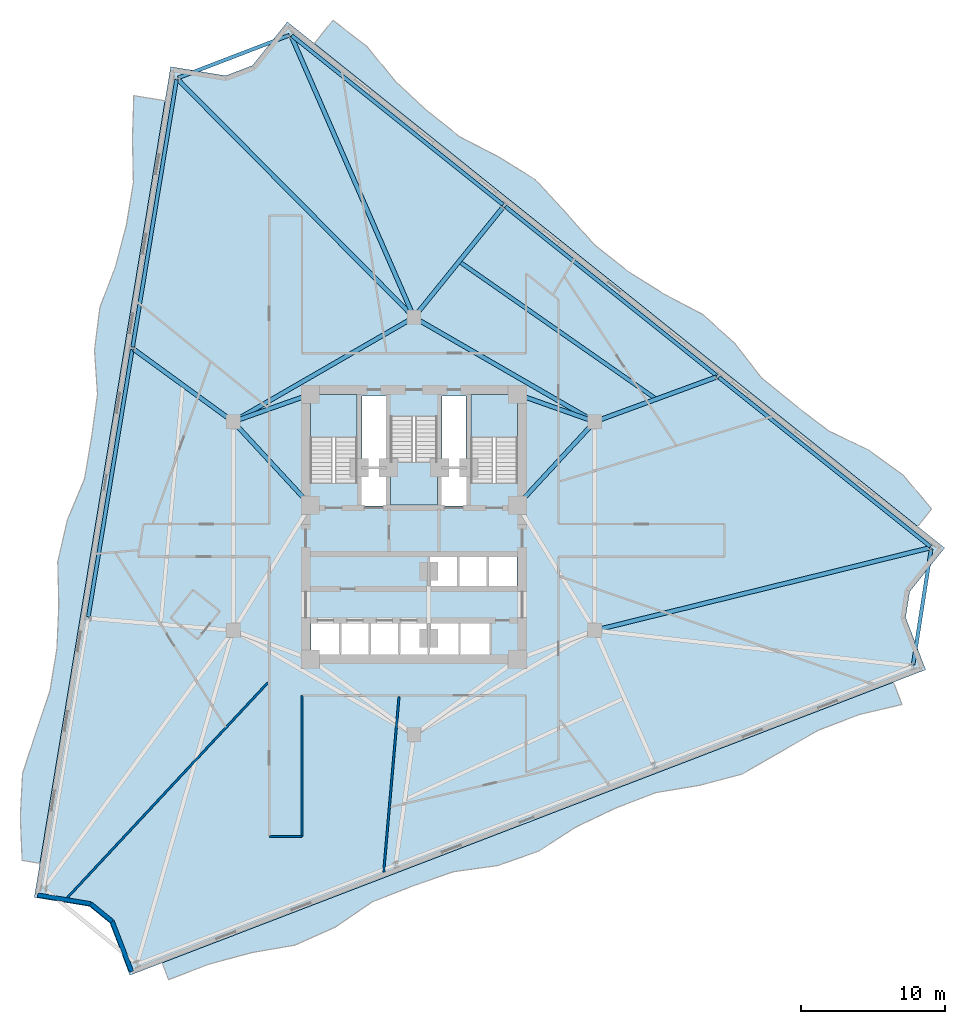
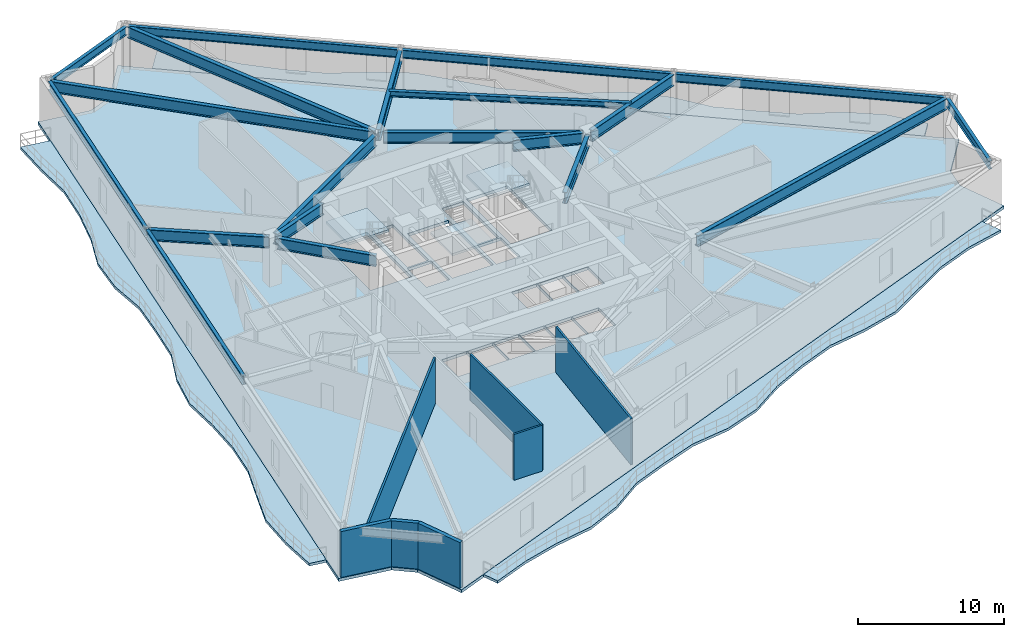
# One storey, part 3 of 11: 20 beams, 7 slabs, 7 walls, 3 elements without a shape of their own.
"""IFC4 building model written with IfcOpenShell, lengths in metres."""

from ifc_helpers import new_model, si_unit, direction, frame, frame_2d, origin, origin_2d, place, context, subcontext, project, spatial, polyline, rectangle, i_section, outline, extrude, material, layer, layer_set, material_profile, profile_set, type_object, element, aggregate, save


model = new_model("IFC4")

# Units and contexts
model_context = context("Model", 3, precision=1e-05, world=origin(), true_north=direction((0.0, 1.0)))
body_context = subcontext(model_context, "Body", "Model", "MODEL_VIEW")
ifc_project = project(units=[si_unit("LENGTHUNIT", "METRE"), si_unit("AREAUNIT", "SQUARE_METRE"), si_unit("VOLUMEUNIT", "CUBIC_METRE"), si_unit("PLANEANGLEUNIT", "RADIAN"), si_unit("MASSUNIT", "GRAM", prefix="KILO")], contexts=[model_context])

# Site, building, storey
site_placement = place(None, origin())
site = spatial("IfcSite", under=ifc_project, at=site_placement, CompositionType="ELEMENT")
building_placement = place(site_placement, origin())
building = spatial("IfcBuilding", under=site, at=building_placement, Name="Apsidion Concourse Tower", CompositionType="ELEMENT")
storey_placement = place(building_placement, frame((0.0, 0.0, 148.60009765625)))
storey = spatial("IfcBuildingStorey", under=building, at=storey_placement, Name="L34", CompositionType="ELEMENT", Elevation=148.60009765625)

# Beams
ifc_material_1 = material(Name="Structural steel ASTM A992 Grade 50", Category="steel")
ifc_material_profile_1 = material_profile(ifc_material_1, i_section(OverallWidth=0.280029296875, OverallDepth=0.462890625, WebThickness=0.0107421875, FlangeThickness=0.017333984375, at=origin_2d()), Name="W18X76")
ifc_profile_set_1 = profile_set([ifc_material_profile_1], Name="Structural steel ASTM A992 Grade 50")
beam_type_1 = type_object("IfcBeamType", Name="BM-FL-W18M", PredefinedType="BEAM", material=ifc_profile_set_1)
beam_1_placement = place(storey_placement, frame((16.836181640625, 8.818359375, 3.618408203125), z_axis=(-0.819987071057, 0.572382043131, 0.0), x_axis=(-0.572382043131, -0.819987071057, 0.0)))
element("IfcBeam", 1, at=beam_1_placement, inside=storey, type_object=beam_type_1, Name="L34 Secondary Floor Beam SEC-F3", PredefinedType="BEAM", context=body_context, shape_type="SweptSolid", body=[
    extrude(i_section(OverallWidth=0.280029296875, OverallDepth=0.462890625, WebThickness=0.0107421875, FlangeThickness=0.017333984375, at=origin_2d()), origin(), (0.0, 0.0, 1.0), 16.70703125),
])
ifc_material_profile_2 = material_profile(ifc_material_1, i_section(OverallWidth=0.31005859375, OverallDepth=0.931884765625, WebThickness=0.02099609375, FlangeThickness=0.034423828125, at=origin_2d()), Name="W36X210")
ifc_profile_set_2 = profile_set([ifc_material_profile_2], Name="Structural steel ASTM A992 Grade 50")
beam_type_2 = type_object("IfcBeamType", Name="BM-G-W36", PredefinedType="USERDEFINED", material=ifc_profile_set_2)
beam_2_placement = place(storey_placement, frame((12.28857421875, 6.956298828125, 3.3837890625), z_axis=(-0.678712876106, -0.73440372535, 0.0), x_axis=(0.73440372535, -0.678712876106, 0.0)))
element("IfcBeam", 2, at=beam_2_placement, inside=storey, type_object=beam_type_2, Name="L34 Core Coupling Girder IC3-SC3", ObjectType="GIRDER", PredefinedType="USERDEFINED", context=body_context, shape_type="SweptSolid", body=[
    extrude(i_section(OverallWidth=0.31005859375, OverallDepth=0.931884765625, WebThickness=0.02099609375, FlangeThickness=0.034423828125, at=origin_2d()), origin(), (0.0, 0.0, 1.0), 7.097412109375),
])
beam_3_placement = place(storey_placement, frame((12.18310546875, 7.383544921875, 3.3837890625), z_axis=(-0.942533844539, 0.334110688094, 0.0), x_axis=(-0.334110688094, -0.942533844539, 0.0)))
element("IfcBeam", 3, at=beam_3_placement, inside=storey, type_object=beam_type_2, Name="L34 Core Coupling Girder IC3-SC4", ObjectType="GIRDER", PredefinedType="USERDEFINED", context=body_context, shape_type="SweptSolid", body=[
    extrude(i_section(OverallWidth=0.31005859375, OverallDepth=0.931884765625, WebThickness=0.02099609375, FlangeThickness=0.034423828125, at=origin_2d()), origin(), (0.0, 0.0, 1.0), 4.886962890625),
])
beam_4_placement = place(storey_placement, frame((-12.28857421875, 6.956298828125, 3.3837890625), z_axis=(0.678712876106, -0.73440372535, 0.0), x_axis=(0.73440372535, 0.678712876106, 0.0)))
element("IfcBeam", 4, at=beam_4_placement, inside=storey, type_object=beam_type_2, Name="L34 Core Coupling Girder IC5-SC6", ObjectType="GIRDER", PredefinedType="USERDEFINED", context=body_context, shape_type="SweptSolid", body=[
    extrude(i_section(OverallWidth=0.31005859375, OverallDepth=0.931884765625, WebThickness=0.02099609375, FlangeThickness=0.034423828125, at=origin_2d()), origin(), (0.0, 0.0, 1.0), 7.097412109375),
])
beam_5_placement = place(storey_placement, frame((-12.18310546875, 7.383544921875, 3.3837890625), z_axis=(0.942533844539, 0.334110688094, 0.0), x_axis=(-0.334110688094, 0.942533844539, 0.0)))
element("IfcBeam", 5, at=beam_5_placement, inside=storey, type_object=beam_type_2, Name="L34 Core Coupling Girder IC5-SC5", ObjectType="GIRDER", PredefinedType="USERDEFINED", context=body_context, shape_type="SweptSolid", body=[
    extrude(i_section(OverallWidth=0.31005859375, OverallDepth=0.931884765625, WebThickness=0.02099609375, FlangeThickness=0.034423828125, at=origin_2d()), origin(), (0.0, 0.0, 1.0), 4.886962890625),
])
for number, where, z_axis, x_axis, name in (
    (6, (-12.213623046875, 7.449951171875, 3.3837890625), (0.866070471464, 0.499921932364, 0.0), (-0.499921932364, 0.866070471464, 0.0), "L34 Core Coupling Girder IC5-IC4"),
    (7, (0.346435546875, 14.300048828125, 3.3837890625), (0.866070471464, -0.499921932364, 0.0), (0.499921932364, 0.866070471464, 0.0), "L34 Core Coupling Girder IC4-IC3"),
):
    element("IfcBeam", number, at=place(storey_placement, frame(where, z_axis=z_axis, x_axis=x_axis)), inside=storey, type_object=beam_type_2, Name=name, ObjectType="GIRDER", PredefinedType="USERDEFINED", context=body_context, shape_type="SweptSolid", body=[
        extrude(i_section(OverallWidth=0.31005859375, OverallDepth=0.931884765625, WebThickness=0.02099609375, FlangeThickness=0.034423828125, at=origin_2d()), origin(), (0.0, 0.0, 1.0), 13.702392578125),
    ])
beam_6_placement = place(storey_placement, frame((-0.155029296875, 14.656005859375, 3.3837890625), z_axis=(-0.704472079086, 0.709731702679, 0.0), x_axis=(-0.709731702679, -0.704472079086, 0.0)))
element("IfcBeam", 8, at=beam_6_placement, inside=storey, type_object=beam_type_2, Name="L34 Radial Floor Girder RAD-01", ObjectType="GIRDER", PredefinedType="USERDEFINED", context=body_context, shape_type="SweptSolid", body=[
    extrude(i_section(OverallWidth=0.31005859375, OverallDepth=0.931884765625, WebThickness=0.02099609375, FlangeThickness=0.034423828125, at=origin_2d()), origin(), (0.0, 0.0, 1.0), 23.069580078125),
])
beam_7_placement = place(storey_placement, frame((-12.73779296875, 7.37939453125, 3.3837890625), z_axis=(-0.80838519092, 0.588653873767, 0.0), x_axis=(-0.588653873767, -0.80838519092, 0.0)))
element("IfcBeam", 9, at=beam_7_placement, inside=storey, type_object=beam_type_2, Name="L34 Radial Floor Girder RAD-02", ObjectType="GIRDER", PredefinedType="USERDEFINED", context=body_context, shape_type="SweptSolid", body=[
    extrude(i_section(OverallWidth=0.31005859375, OverallDepth=0.931884765625, WebThickness=0.02099609375, FlangeThickness=0.034423828125, at=origin_2d()), origin(), (0.0, 0.0, 1.0), 8.337646484375),
])
beam_8_placement = place(storey_placement, frame((12.773681640625, -7.197509765625, 3.3837890625), z_axis=(0.970978267366, 0.239167732569, 0.0), x_axis=(-0.239167732569, 0.970978267366, 0.0)))
element("IfcBeam", 10, at=beam_8_placement, inside=storey, type_object=beam_type_2, Name="L34 Radial Floor Girder RAD-09", ObjectType="GIRDER", PredefinedType="USERDEFINED", context=body_context, shape_type="SweptSolid", body=[
    extrude(i_section(OverallWidth=0.31005859375, OverallDepth=0.931884765625, WebThickness=0.02099609375, FlangeThickness=0.034423828125, at=origin_2d()), origin(), (0.0, 0.0, 1.0), 23.770263671875),
])
beam_9_placement = place(storey_placement, frame((12.7666015625, 7.32568359375, 3.3837890625), z_axis=(0.938840099728, 0.34435340443, 0.0), x_axis=(-0.34435340443, 0.938840099728, 0.0)))
element("IfcBeam", 11, at=beam_9_placement, inside=storey, type_object=beam_type_2, Name="L34 Radial Floor Girder RAD-10", ObjectType="GIRDER", PredefinedType="USERDEFINED", context=body_context, shape_type="SweptSolid", body=[
    extrude(i_section(OverallWidth=0.31005859375, OverallDepth=0.931884765625, WebThickness=0.02099609375, FlangeThickness=0.034423828125, at=origin_2d()), origin(), (0.0, 0.0, 1.0), 8.789306640625),
])
beam_10_placement = place(storey_placement, frame((0.13818359375, 14.671142578125, 3.3837890625), z_axis=(0.628598256624, 0.777730179284, 0.0), x_axis=(-0.777730179284, 0.628598256624, 0.0)))
element("IfcBeam", 12, at=beam_10_placement, inside=storey, type_object=beam_type_2, Name="L34 Radial Floor Girder RAD-11", ObjectType="GIRDER", PredefinedType="USERDEFINED", context=body_context, shape_type="SweptSolid", body=[
    extrude(i_section(OverallWidth=0.31005859375, OverallDepth=0.931884765625, WebThickness=0.02099609375, FlangeThickness=0.034423828125, at=origin_2d()), origin(), (0.0, 0.0, 1.0), 9.660400390625),
])
beam_11_placement = place(storey_placement, frame((-0.087890625, 14.70166015625, 3.3837890625), z_axis=(-0.39980027304, 0.916602281078, 0.0), x_axis=(-0.916602281078, -0.39980027304, 0.0)))
element("IfcBeam", 13, at=beam_11_placement, inside=storey, type_object=beam_type_2, Name="L34 Radial Floor Girder RAD-12", ObjectType="GIRDER", PredefinedType="USERDEFINED", context=body_context, shape_type="SweptSolid", body=[
    extrude(i_section(OverallWidth=0.31005859375, OverallDepth=0.931884765625, WebThickness=0.02099609375, FlangeThickness=0.034423828125, at=origin_2d()), origin(), (0.0, 0.0, 1.0), 21.104248046875),
])
ifc_material_profile_3 = material_profile(ifc_material_1, i_section(OverallWidth=0.256103515625, OverallDepth=0.693115234375, WebThickness=0.014404296875, FlangeThickness=0.023681640625, at=origin_2d()), Name="W27X114")
ifc_profile_set_3 = profile_set([ifc_material_profile_3], Name="Structural steel ASTM A992 Grade 50")
beam_type_3 = type_object("IfcBeamType", Name="BM-SP-W27", PredefinedType="SPANDREL", material=ifc_profile_set_3)
for number, where, z_axis, x_axis, name in (
    (14, (-16.493408203125, 31.001708984375, 3.50341796875), (-0.162122790078, -0.986770591849, 0.0), (0.986770591849, -0.162122790078, 0.0), "L34 Perimeter Spandrel Girder SP-01"),
    (15, (-19.57470703125, 12.24755859375, 3.50341796875), (-0.162110148975, -0.986772668652, 0.0), (0.986772668652, -0.162110148975, 0.0), "L34 Perimeter Spandrel Girder SP-02"),
):
    element("IfcBeam", number, at=place(storey_placement, frame(where, z_axis=z_axis, x_axis=x_axis)), inside=storey, type_object=beam_type_3, Name=name, PredefinedType="SPANDREL", context=body_context, shape_type="SweptSolid", body=[
        extrude(i_section(OverallWidth=0.256103515625, OverallDepth=0.693115234375, WebThickness=0.014404296875, FlangeThickness=0.023681640625, at=origin_2d()), origin(), (0.0, 0.0, 1.0), 18.8056640625),
    ])
beam_12_placement = place(storey_placement, frame((34.68408203125, -9.64013671875, 3.50341796875), z_axis=(0.153594554534, 0.988133954896, 0.0), x_axis=(-0.988133954896, 0.153594554534, 0.0)))
element("IfcBeam", 16, at=beam_12_placement, inside=storey, type_object=beam_type_3, Name="L34 Perimeter Spandrel Girder SP-08", PredefinedType="SPANDREL", context=body_context, shape_type="SweptSolid", body=[
    extrude(i_section(OverallWidth=0.256103515625, OverallDepth=0.693115234375, WebThickness=0.014404296875, FlangeThickness=0.023681640625, at=origin_2d()), origin(), (0.0, 0.0, 1.0), 8.1494140625),
])
beam_13_placement = place(storey_placement, frame((35.873046875, -1.426025390625, 3.50341796875), z_axis=(-0.780761138975, 0.624829611868, 0.0), x_axis=(-0.624829611868, -0.780761138975, 0.0)))
element("IfcBeam", 17, at=beam_13_placement, inside=storey, type_object=beam_type_3, Name="L34 Perimeter Spandrel Girder SP-09", PredefinedType="SPANDREL", context=body_context, shape_type="SweptSolid", body=[
    extrude(i_section(OverallWidth=0.256103515625, OverallDepth=0.693115234375, WebThickness=0.014404296875, FlangeThickness=0.023681640625, at=origin_2d()), origin(), (0.0, 0.0, 1.0), 18.805419921875),
])
for number, where, z_axis, x_axis, name in (
    (18, (21.0341796875, 10.44921875, 3.50341796875), (-0.780754805621, 0.624837525682, 0.0), (-0.624837525682, -0.780754805621, 0.0), "L34 Perimeter Spandrel Girder SP-10"),
    (19, (6.1953125, 22.32470703125, 3.50341796875), (-0.780754805621, 0.624837525682, 0.0), (-0.624837525682, -0.780754805621, 0.0), "L34 Perimeter Spandrel Girder SP-11"),
):
    element("IfcBeam", number, at=place(storey_placement, frame(where, z_axis=z_axis, x_axis=x_axis)), inside=storey, type_object=beam_type_3, Name=name, PredefinedType="SPANDREL", context=body_context, shape_type="SweptSolid", body=[
        extrude(i_section(OverallWidth=0.256103515625, OverallDepth=0.693115234375, WebThickness=0.014404296875, FlangeThickness=0.023681640625, at=origin_2d()), origin(), (0.0, 0.0, 1.0), 18.8056640625),
    ])
beam_14_placement = place(storey_placement, frame((-8.65869140625, 34.101806640625, 3.50341796875), z_axis=(-0.933572784053, -0.35838785816, 0.0), x_axis=(0.35838785816, -0.933572784053, 0.0)))
element("IfcBeam", 20, at=beam_14_placement, inside=storey, type_object=beam_type_3, Name="L34 Perimeter Spandrel Girder SP-12", PredefinedType="SPANDREL", context=body_context, shape_type="SweptSolid", body=[
    extrude(i_section(OverallWidth=0.256103515625, OverallDepth=0.693115234375, WebThickness=0.014404296875, FlangeThickness=0.023681640625, at=origin_2d()), origin(), (0.0, 0.0, 1.0), 8.274658203125),
])

# Slabs
ifc_material_2 = material(Name="Concrete C50/60", Category="concrete")
ifc_layer_1 = layer(ifc_material_2, 0.219970703125)
ifc_layer_set_1 = layer_set([ifc_layer_1], Name="Concrete C50/60")
slab_type_1 = type_object("IfcSlabType", Name="SL-BAL-220", PredefinedType="FLOOR", material=ifc_layer_set_1)
slab_1_placement = place(storey_placement, frame((0.0, 0.0, -0.22021484375)))
element("IfcSlab", 21, at=slab_1_placement, inside=storey, type_object=slab_type_1, Name="L34 Face 1 Rippling Balcony Slab", PredefinedType="FLOOR", context=body_context, shape_type="SweptSolid", body=[
    extrude(outline(polyline([(-17.293701171875, 29.547119140625), (-17.77685546875, 26.603515625), (-18.260009765625, 23.66015625), (-18.7431640625, 20.716552734375), (-19.226318359375, 17.77294921875), (-19.709716796875, 14.829345703125), (-20.192626953125, 11.8857421875), (-20.67578125, 8.9423828125), (-21.1591796875, 5.998779296875), (-21.642333984375, 3.05517578125), (-22.12548828125, 0.111572265625), (-22.608642578125, -2.83203125), (-23.091796875, -5.775390625), (-23.574951171875, -8.718994140625), (-24.05810546875, -11.66259765625), (-24.541259765625, -14.606201171875), (-25.0244140625, -17.5498046875), (-25.507568359375, -20.493408203125), (-25.99072265625, -23.43701171875), (-27.224365234375, -23.234375), (-27.348388671875, -20.191162109375), (-27.191650390625, -17.194091796875), (-26.255615234375, -14.32470703125), (-25.29150390625, -11.460205078125), (-24.808349609375, -8.5166015625), (-24.6728515625, -5.51611328125), (-24.747314453125, -2.48095703125), (-24.0771484375, 0.431884765625), (-22.89111328125, 3.260009765625), (-22.392578125, 6.201171875), (-21.988037109375, 9.15771484375), (-22.193603515625, 12.21435546875), (-21.8232421875, 15.17626953125), (-20.73876953125, 18.021240234375), (-19.976806640625, 20.9189453125), (-19.49365234375, 23.862548828125), (-19.555908203125, 26.8955078125), (-19.464599609375, 29.903564453125), (-17.293701171875, 29.547119140625)])), origin(), (0.0, 0.0, 1.0), 0.22021484375),
])
slab_2_placement = place(storey_placement, frame((0.0, 0.0, -0.22021484375)))
element("IfcSlab", 22, at=slab_2_placement, inside=storey, type_object=slab_type_1, Name="L34 Face 2 Rippling Balcony Slab", PredefinedType="FLOOR", context=body_context, shape_type="SweptSolid", body=[
    extrude(outline(polyline([(-17.49853515625, -30.353271484375), (-14.67578125, -29.26953125), (-11.852783203125, -28.18603515625), (-9.02978515625, -27.102294921875), (-6.206787109375, -26.018798828125), (-3.3837890625, -24.93505859375), (-0.56103515625, -23.8515625), (2.261962890625, -22.767822265625), (5.0849609375, -21.68408203125), (7.90771484375, -20.6005859375), (10.730712890625, -19.51708984375), (13.5537109375, -18.433349609375), (16.376708984375, -17.349609375), (19.19970703125, -16.26611328125), (22.0224609375, -15.1826171875), (24.845458984375, -14.098876953125), (27.66845703125, -13.01513671875), (30.491455078125, -11.931640625), (33.314208984375, -10.847900390625), (33.90869140625, -12.396484375), (30.939208984375, -13.0986328125), (28.116455078125, -14.18212890625), (25.459228515625, -15.697509765625), (22.80908203125, -17.231201171875), (19.86962890625, -18.01171875), (16.82470703125, -18.5166015625), (14.001708984375, -19.600341796875), (11.264404296875, -20.907470703125), (8.67041015625, -22.5869140625), (5.81689453125, -23.59130859375), (2.742431640625, -24.019775390625), (-0.113037109375, -25.018310546875), (-2.927490234375, -26.1240234375), (-5.492919921875, -27.87841796875), (-8.256591796875, -29.1162109375), (-11.29296875, -29.644287109375), (-14.227783203125, -30.4365234375), (-17.050537109375, -31.520263671875), (-17.49853515625, -30.353271484375)])), origin(), (0.0, 0.0, 1.0), 0.22021484375),
])
slab_3_placement = place(storey_placement, frame((0.0, 0.0, -0.22021484375)))
element("IfcSlab", 23, at=slab_3_placement, inside=storey, type_object=slab_type_1, Name="L34 Face 3 Rippling Balcony Slab", PredefinedType="FLOOR", context=body_context, shape_type="SweptSolid", body=[
    extrude(outline(polyline([(34.997314453125, -0.025634765625), (32.668701171875, 1.83837890625), (30.33984375, 3.70263671875), (28.01123046875, 5.56689453125), (25.6826171875, 7.430908203125), (23.353759765625, 9.295166015625), (21.025146484375, 11.159423828125), (18.6962890625, 13.023681640625), (16.36767578125, 14.8876953125), (14.0390625, 16.751953125), (11.71044921875, 18.6162109375), (9.381591796875, 20.480224609375), (7.052978515625, 22.344482421875), (4.724365234375, 24.208740234375), (2.3955078125, 26.072998046875), (0.06689453125, 27.93701171875), (-2.26171875, 29.80126953125), (-4.590576171875, 31.665283203125), (-6.919189453125, 33.529541015625), (-5.630859375, 35.138916015625), (-3.2666015625, 33.319091796875), (-1.336669921875, 30.95703125), (0.84814453125, 28.912841796875), (3.1767578125, 27.048583984375), (5.88037109375, 25.65283203125), (8.426513671875, 24.060302734375), (10.477783203125, 21.849609375), (12.491455078125, 19.592041015625), (14.8203125, 17.727783203125), (17.358154296875, 16.125), (20.04736328125, 14.7109375), (22.269287109375, 12.71337890625), (24.154541015625, 10.29541015625), (26.463623046875, 8.406982421875), (28.83203125, 6.592041015625), (31.599609375, 5.2763671875), (34.011474609375, 3.51611328125), (35.966064453125, 1.184326171875), (34.997314453125, -0.025634765625)])), origin(), (0.0, 0.0, 1.0), 0.22021484375),
])
ifc_layer_2 = layer(ifc_material_2, 0.25)
ifc_layer_set_2 = layer_set([ifc_layer_2], Name="Concrete C50/60")
slab_type_2 = type_object("IfcSlabType", Name="SL-FLR-250", PredefinedType="FLOOR", material=ifc_layer_set_2)
slab_4_placement = place(storey_placement, frame((0.0, 0.0, -0.25)))
element("IfcSlab", 24, at=slab_4_placement, inside=storey, type_object=slab_type_2, Name="L34 Structural Floor Slab", PredefinedType="FLOOR", context=body_context, shape_type="SweptSolid", body=[
    extrude(outline(polyline([(-8.792724609375, 35.029541015625), (-11.219970703125, 31.997802734375), (-13.072509765625, 31.286376953125), (-16.905029296875, 31.91552734375), (-26.37939453125, -25.80517578125), (-22.547119140625, -26.434326171875), (-21.131103515625, -27.587646484375), (-19.7392578125, -31.21337890625), (35.554931640625, -9.98779296875), (34.1630859375, -6.3623046875), (34.44384765625, -4.5576171875), (36.870849609375, -1.525634765625), (-8.792724609375, 35.029541015625)]), holes=[polyline([(-3.949951171875, 3.0), (-3.949951171875, 9.14990234375), (-7.199951171875, 9.14990234375), (-7.199951171875, 3.0), (-3.949951171875, 3.0)]), polyline([(7.199951171875, 3.0), (7.199951171875, 9.14990234375), (3.949951171875, 9.14990234375), (3.949951171875, 3.0), (7.199951171875, 3.0)]), polyline([(-1.625, 7.60009765625), (-1.625, 1.449951171875), (1.625, 1.449951171875), (1.625, 7.60009765625), (-1.625, 7.60009765625)]), polyline([(1.054931640625, -4.300048828125), (3.044921875, -4.300048828125), (3.044921875, -2.050048828125), (1.054931640625, -2.050048828125), (1.054931640625, -4.300048828125)]), polyline([(3.10498046875, -4.300048828125), (5.094970703125, -4.300048828125), (5.094970703125, -2.050048828125), (3.10498046875, -2.050048828125), (3.10498046875, -4.300048828125)]), polyline([(5.155029296875, -4.300048828125), (7.14501953125, -4.300048828125), (7.14501953125, -2.050048828125), (5.155029296875, -2.050048828125), (5.155029296875, -4.300048828125)]), polyline([(-7.14501953125, -8.949951171875), (-5.155029296875, -8.949951171875), (-5.155029296875, -6.64990234375), (-7.14501953125, -6.64990234375), (-7.14501953125, -8.949951171875)]), polyline([(-5.094970703125, -8.949951171875), (-3.10498046875, -8.949951171875), (-3.10498046875, -6.64990234375), (-5.094970703125, -6.64990234375), (-5.094970703125, -8.949951171875)]), polyline([(-3.044921875, -8.949951171875), (-1.054931640625, -8.949951171875), (-1.054931640625, -6.64990234375), (-3.044921875, -6.64990234375), (-3.044921875, -8.949951171875)]), polyline([(-0.9951171875, -8.949951171875), (0.9951171875, -8.949951171875), (0.9951171875, -6.64990234375), (-0.9951171875, -6.64990234375), (-0.9951171875, -8.949951171875)]), polyline([(1.044921875, -9.0), (3.155029296875, -9.0), (3.155029296875, -6.64990234375), (1.044921875, -6.64990234375), (1.044921875, -9.0)]), polyline([(3.195068359375, -9.0), (5.304931640625, -9.0), (5.304931640625, -6.64990234375), (3.195068359375, -6.64990234375), (3.195068359375, -9.0)]), polyline([(-3.7099609375, 1.39990234375), (-1.85009765625, 1.39990234375), (-1.85009765625, 4.0), (-3.7099609375, 4.0), (-3.7099609375, 1.39990234375)]), polyline([(1.85009765625, 1.39990234375), (3.7099609375, 1.39990234375), (3.7099609375, 4.0), (1.85009765625, 4.0), (1.85009765625, 1.39990234375)]), polyline([(-3.6201171875, 4.14990234375), (-1.93994140625, 4.14990234375), (-1.93994140625, 9.050048828125), (-3.6201171875, 9.050048828125), (-3.6201171875, 4.14990234375)]), polyline([(1.93994140625, 4.14990234375), (3.6201171875, 4.14990234375), (3.6201171875, 9.050048828125), (1.93994140625, 9.050048828125), (1.93994140625, 4.14990234375)])]), origin(), (0.0, 0.0, 1.0), 0.25),
])

# Stair, slab
ifc_material_3 = material(Name="Precast concrete C40/50", Category="concrete")
stair_type = type_object("IfcStairType", Name="ST-DL-1550", PredefinedType="HALF_TURN_STAIR", material=ifc_material_3)
stair_1_placement = place(storey_placement, origin())
stair_1 = element("IfcStair", 25, at=stair_1_placement, inside=storey, type_object=stair_type, Name="L34 Protected Core Exit Stair ST1", PredefinedType="HALF_TURN_STAIR")
ifc_layer_3 = layer(ifc_material_2, 0.199951171875)
ifc_layer_set_3 = layer_set([ifc_layer_3], Name="Concrete C50/60")
slab_type_3 = type_object("IfcSlabType", Name="SL-ST-LAND-200", PredefinedType="LANDING", material=ifc_layer_set_3)
slab_5_placement = place(storey_placement, frame((0.0, 0.0, 1.849853515625)))
slab_5 = element("IfcSlab", 26, at=slab_5_placement, type_object=slab_type_3, Name="ST1 landing 1", PredefinedType="LANDING", context=body_context, shape_type="SweptSolid", body=[
    extrude(outline(polyline([(-3.949951171875, 6.135009765625), (-3.949951171875, 9.14990234375), (-7.199951171875, 9.14990234375), (-7.199951171875, 6.135009765625), (-3.949951171875, 6.135009765625)])), origin(), (0.0, 0.0, 1.0), 0.199951171875),
])
aggregate(stair_1, [slab_5])

stair_2_placement = place(storey_placement, origin())
stair_2 = element("IfcStair", 27, at=stair_2_placement, inside=storey, type_object=stair_type, Name="L34 Protected Core Exit Stair ST2", PredefinedType="HALF_TURN_STAIR")
slab_6_placement = place(storey_placement, frame((0.0, 0.0, 1.849853515625)))
slab_6 = element("IfcSlab", 28, at=slab_6_placement, type_object=slab_type_3, Name="ST2 landing 1", PredefinedType="LANDING", context=body_context, shape_type="SweptSolid", body=[
    extrude(outline(polyline([(7.199951171875, 6.135009765625), (7.199951171875, 9.14990234375), (3.949951171875, 9.14990234375), (3.949951171875, 6.135009765625), (7.199951171875, 6.135009765625)])), origin(), (0.0, 0.0, 1.0), 0.199951171875),
])
aggregate(stair_2, [slab_6])

stair_3_placement = place(storey_placement, origin())
stair_3 = element("IfcStair", 29, at=stair_3_placement, inside=storey, type_object=stair_type, Name="L34 Protected Core Exit Stair ST3", PredefinedType="HALF_TURN_STAIR")
slab_7_placement = place(storey_placement, frame((0.0, 0.0, 1.849853515625)))
slab_7 = element("IfcSlab", 30, at=slab_7_placement, type_object=slab_type_3, Name="ST3 landing 1", PredefinedType="LANDING", context=body_context, shape_type="SweptSolid", body=[
    extrude(outline(polyline([(-1.625, 4.465087890625), (-1.625, 1.449951171875), (1.625, 1.449951171875), (1.625, 4.465087890625), (-1.625, 4.465087890625)])), origin(), (0.0, 0.0, 1.0), 0.199951171875),
])
aggregate(stair_3, [slab_7])

# Walls
ifc_layer_4 = layer(ifc_material_3, 0.300048828125)
ifc_layer_set_4 = layer_set([ifc_layer_4], Name="Precast concrete C40/50")
wall_type_1 = type_object("IfcWallType", Name="WL-EXT-300", PredefinedType="STANDARD", material=ifc_layer_set_4)
wall_1_placement = place(storey_placement, frame((-19.624267578125, -30.954833984375, 0.0), z_axis=(0.0, 0.0, 1.0), x_axis=(-0.358366059171, 0.933581152142, 0.0)))
element("IfcWall", 31, at=wall_1_placement, inside=storey, type_object=wall_type_1, Name="L34 Precast Stone Facade Wall 06", PredefinedType="STANDARD", context=body_context, shape_type="SweptSolid", body=[
    extrude(rectangle(XDim=3.73681640625, YDim=0.300048828125, at=frame_2d((1.868408203125, 0.0))), origin(), (0.0, 0.0, 1.0), 3.849853515625),
])
wall_2_placement = place(storey_placement, frame((-20.96337890625, -27.46630859375, 0.0), z_axis=(0.0, 0.0, 1.0), x_axis=(-0.775367830134, 0.631509879569, 0.0)))
element("IfcWall", 32, at=wall_2_placement, inside=storey, type_object=wall_type_1, Name="L34 Precast Stone Facade Wall 07", PredefinedType="STANDARD", context=body_context, shape_type="SweptSolid", body=[
    extrude(rectangle(XDim=1.93310546875, YDim=0.300048828125, at=frame_2d((0.966552734375, 0.0))), origin(), (0.0, 0.0, 1.0), 3.849853515625),
])
wall_3_placement = place(storey_placement, frame((-22.462158203125, -26.24560546875, 0.0), z_axis=(0.0, 0.0, 1.0), x_axis=(-0.986786597315, 0.16202534172, 0.0)))
element("IfcWall", 33, at=wall_3_placement, inside=storey, type_object=wall_type_1, Name="L34 Precast Stone Facade Wall 08", PredefinedType="STANDARD", context=body_context, shape_type="SweptSolid", body=[
    extrude(rectangle(XDim=3.73681640625, YDim=0.300048828125, at=frame_2d((1.868408203125, 0.0))), origin(), (0.0, 0.0, 1.0), 3.849853515625),
])
ifc_material_4 = material(Name="Gypsum plasterboard partition")
ifc_layer_5 = layer(ifc_material_4, 0.14990234375)
ifc_layer_set_5 = layer_set([ifc_layer_5], Name="Gypsum plasterboard partition")
wall_type_2 = type_object("IfcWallType", Name="WL-INT-PAR-150", PredefinedType="PARTITIONING", material=ifc_layer_set_5)
wall_4_placement = place(storey_placement, frame((-7.7900390625, -11.77490234375, 0.0), z_axis=(0.0, 0.0, 1.0), x_axis=(0.0, -1.0, 0.0)))
element("IfcWall", 34, at=wall_4_placement, inside=storey, type_object=wall_type_2, Name="L34 Interior Partition WL-L34-CORR-04", PredefinedType="PARTITIONING", context=body_context, shape_type="SweptSolid", body=[
    extrude(rectangle(XDim=9.80517578125, YDim=0.14990234375, at=frame_2d((4.902587890625, 0.0))), origin(), (0.0, 0.0, 1.0), 3.849853515625),
])
wall_5_placement = place(storey_placement, frame((-7.7900390625, -21.580078125, 0.0), z_axis=(0.0, 0.0, 1.0), x_axis=(-1.0, 0.0, 0.0)))
element("IfcWall", 35, at=wall_5_placement, inside=storey, type_object=wall_type_2, Name="L34 Interior Partition WL-L34-CORR-05", PredefinedType="PARTITIONING", context=body_context, shape_type="SweptSolid", body=[
    extrude(rectangle(XDim=2.260009765625, YDim=0.14990234375, at=frame_2d((1.1298828125, 0.0))), origin(), (0.0, 0.0, 1.0), 3.849853515625),
])
wall_6_placement = place(storey_placement, frame((-10.155029296875, -10.889892578125, 0.0), z_axis=(0.0, 0.0, 1.0), x_axis=(-0.681994218346, -0.731357563811, 0.0)))
element("IfcWall", 36, at=wall_6_placement, inside=storey, type_object=wall_type_2, Name="L34 Interior Partition WL-L34-RAD-06-1", PredefinedType="PARTITIONING", context=body_context, shape_type="SweptSolid", body=[
    extrude(rectangle(XDim=20.40625, YDim=0.14990234375, at=frame_2d((10.203125, 0.0))), origin(), (0.0, 0.0, 1.0), 3.849853515625),
])
wall_7_placement = place(storey_placement, frame((-1.039306640625, -11.8798828125, 0.0), z_axis=(0.0, 0.0, 1.0), x_axis=(-0.087170172266, -0.996193435567, 0.0)))
element("IfcWall", 37, at=wall_7_placement, inside=storey, type_object=wall_type_2, Name="L34 Interior Partition WL-L34-RAD-07-1", PredefinedType="PARTITIONING", context=body_context, shape_type="SweptSolid", body=[
    extrude(rectangle(XDim=12.2197265625, YDim=0.14990234375, at=frame_2d((6.10986328125, 0.0))), origin(), (0.0, 0.0, 1.0), 3.849853515625),
])

save(model, "model.ifc")
